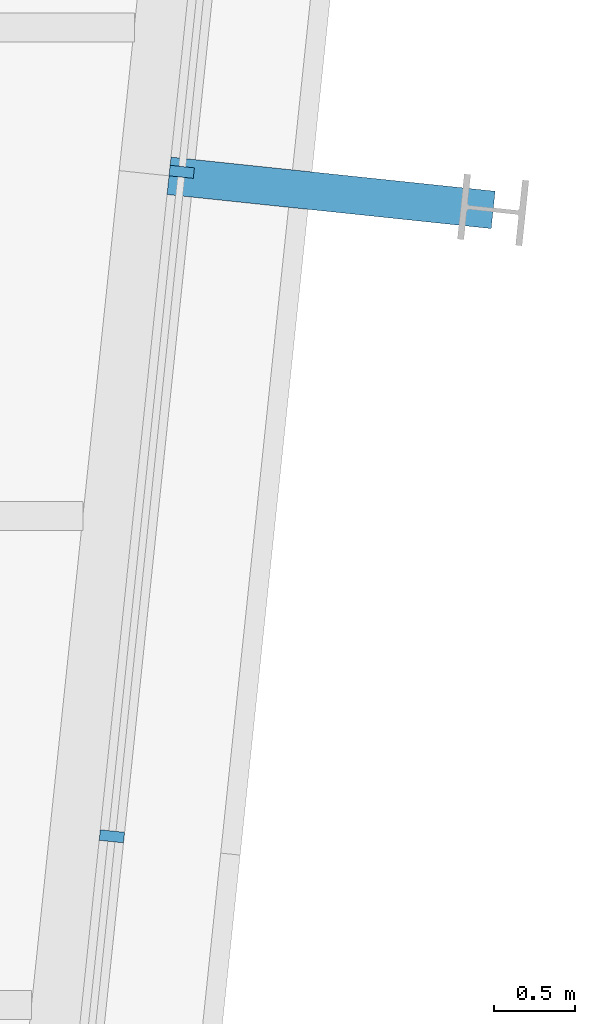
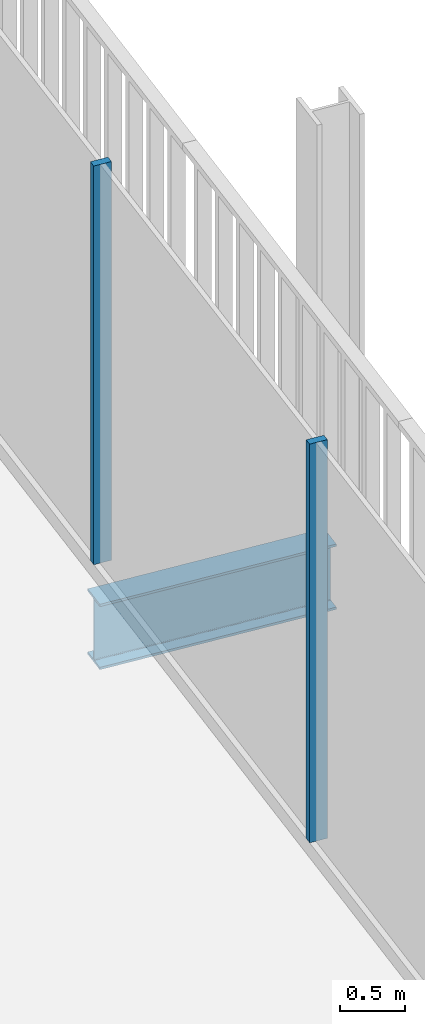
# One storey, part 11 of 19: 2 members, 1 beam, 1 element without a shape of its own.
"""IFC4 building model written with IfcOpenShell, lengths in metres."""

import ifcopenshell
import ifcopenshell.guid

model = None  # the IFC model being written
_history = None  # IfcOwnerHistory: only IFC2X3 demands one
_inside = {}  # id of a spatial element -> (the spatial element, [elements in it])
_under = {}  # id of a project, library or spatial element -> (it, [spatial elements below it])
_declared = {}  # id of a project -> (the project, [libraries it declares])
_typed = {}  # id of a type object -> (the type object, [elements of that type])
_made_of = {}  # id of a material, layer set ... -> (it, [elements and type objects made of it])


def new_model(schema):
    """Start an empty IFC model of exactly this schema.

    Asked for "IFC4X3", IfcOpenShell would pick the latest addendum, in which some entities
    have other attributes; the version numbers below select the first issue.
    IFC2X3 requires an IfcOwnerHistory on every rooted entity: one is made here for all.
    """
    global model, _history
    if schema == "IFC4X3":
        model = ifcopenshell.file(schema_version=(4, 3, 0, 0))
    else:
        model = ifcopenshell.file(schema=schema)
    _inside.clear()
    _under.clear()
    _declared.clear()
    _typed.clear()
    _made_of.clear()
    _history = None
    if model.schema == "IFC2X3":
        org = make("IfcOrganization", Name="unknown")
        user = make(
            "IfcPersonAndOrganization",
            ThePerson=make("IfcPerson", FamilyName="unknown"),
            TheOrganization=org,
        )
        app = make(
            "IfcApplication",
            ApplicationDeveloper=org,
            Version="unknown",
            ApplicationFullName="unknown",
            ApplicationIdentifier="unknown",
        )
        _history = make(
            "IfcOwnerHistory",
            OwningUser=user,
            OwningApplication=app,
            ChangeAction="ADDED",
            CreationDate=0,
        )
    return model


def make(cls, **values):
    """One entity of the class cls with the attributes given. An attribute that is None is left unset."""
    return model.create_entity(
        cls, **{name: value for name, value in values.items() if value is not None}
    )


def rooted(cls, **values):
    """An entity with a GlobalId (a new one), such as an element, a storey or a relation."""
    return make(cls, GlobalId=ifcopenshell.guid.new(), OwnerHistory=_history, **values)


def si_unit(unit_type, name, prefix=None):
    """IfcSIUnit, for example si_unit("LENGTHUNIT", "METRE", prefix="MILLI")."""
    return make("IfcSIUnit", UnitType=unit_type, Prefix=prefix, Name=name)


def assignment(units):
    """IfcUnitAssignment: the units of a project."""
    return None if units is None else make("IfcUnitAssignment", Units=units)


def point(xyz):
    """IfcCartesianPoint."""
    return None if xyz is None else make("IfcCartesianPoint", Coordinates=xyz)


def direction(xyz):
    """IfcDirection."""
    return None if xyz is None else make("IfcDirection", DirectionRatios=xyz)


def frame(location, z_axis=None, x_axis=None):
    """IfcAxis2Placement3D, a coordinate frame: its origin and axes. An axis left out is left unset."""
    return make(
        "IfcAxis2Placement3D",
        Location=point(location),
        Axis=direction(z_axis),
        RefDirection=direction(x_axis),
    )


def frame_2d(location, x_axis=None):
    """IfcAxis2Placement2D, a coordinate frame in the plane: its origin and x axis."""
    return make(
        "IfcAxis2Placement2D", Location=point(location), RefDirection=direction(x_axis)
    )


def origin():
    """The frame at (0, 0, 0) with its axes left unset."""
    return frame((0.0, 0.0, 0.0))


def origin_2d():
    """The frame at (0, 0) in the plane with its x axis left unset."""
    return frame_2d((0.0, 0.0))


def place(relative_to, where):
    """IfcLocalPlacement: puts the frame where relative to a parent placement (None: the world)."""
    return make(
        "IfcLocalPlacement", PlacementRelTo=relative_to, RelativePlacement=where
    )


def context(
    kind, dimensions, precision=None, world=None, true_north=None, identifier=None
):
    """IfcGeometricRepresentationContext, for example the 3D "Model" context."""
    return make(
        "IfcGeometricRepresentationContext",
        ContextIdentifier=identifier,
        ContextType=kind,
        CoordinateSpaceDimension=dimensions,
        Precision=precision,
        WorldCoordinateSystem=world,
        TrueNorth=true_north,
    )


def subcontext(parent, identifier, kind, view, scale=None):
    """IfcGeometricRepresentationSubContext, for example "Body" below "Model"."""
    return make(
        "IfcGeometricRepresentationSubContext",
        ContextIdentifier=identifier,
        ContextType=kind,
        ParentContext=parent,
        TargetScale=scale,
        TargetView=view,
    )


def project(units=None, contexts=None):
    """IfcProject with its units and contexts."""
    return rooted(
        "IfcProject",
        Name="project",
        RepresentationContexts=contexts,
        UnitsInContext=assignment(units),
    )


def spatial(cls, under=None, at=None, **own):
    """A site, building, storey or space (cls), placed at a placement, below another one or the project."""
    s = rooted(cls, ObjectPlacement=at, **own)
    if under is not None:
        _under.setdefault(under.id(), (under, []))[1].append(s)
    return s


def profile(cls, at=None, kind="AREA", **sizes):
    """A parametric profile (cls). Its sizes go by their IFC names, for example OverallWidth=200.0."""
    return make(cls, ProfileType=kind, Position=at, **sizes)


def rectangle(**sizes):
    """IfcRectangleProfileDef."""
    return profile("IfcRectangleProfileDef", **sizes)


def i_section(**sizes):
    """IfcIShapeProfileDef."""
    return profile("IfcIShapeProfileDef", **sizes)


def extrude(swept, where, along, depth):
    """IfcExtrudedAreaSolid: the profile swept, set in the frame where, extruded along a direction by depth."""
    return make(
        "IfcExtrudedAreaSolid",
        SweptArea=swept,
        Position=where,
        ExtrudedDirection=direction(along),
        Depth=depth,
    )


def shape(context_of_items, identifier, shape_type, items):
    """IfcShapeRepresentation: the items that make up one representation, for example the "Body"."""
    return make(
        "IfcShapeRepresentation",
        ContextOfItems=context_of_items,
        RepresentationIdentifier=identifier,
        RepresentationType=shape_type,
        Items=items,
    )


def material(Name=None, Category=None):
    """IfcMaterial."""
    return make("IfcMaterial", Name=Name, Category=Category)


def layer(
    of_material, thickness, ventilated=None, Name=None, Category=None, Priority=None
):
    """IfcMaterialLayer: one layer of a wall or slab, of a material (None: an air gap)."""
    return make(
        "IfcMaterialLayer",
        Material=of_material,
        LayerThickness=thickness,
        IsVentilated=ventilated,
        Name=Name,
        Category=Category,
        Priority=Priority,
    )


def layer_set(layers, Name=None):
    """IfcMaterialLayerSet."""
    return make("IfcMaterialLayerSet", MaterialLayers=layers, LayerSetName=Name)


def material_profile(
    of_material, cross_section, Name=None, Category=None, Priority=None
):
    """IfcMaterialProfile: a cross section and its material."""
    return make(
        "IfcMaterialProfile",
        Name=Name,
        Material=of_material,
        Profile=cross_section,
        Priority=Priority,
        Category=Category,
    )


def profile_set(profiles, Name=None, composite=None):
    """IfcMaterialProfileSet."""
    return make(
        "IfcMaterialProfileSet",
        Name=Name,
        MaterialProfiles=profiles,
        CompositeProfile=composite,
    )


def made_of(thing, what):
    """Note that an element or type object is made of a material, layer set ...; save() writes the relation."""
    if what is not None:
        _made_of.setdefault(what.id(), (what, []))[1].append(thing)
    return thing


def type_object(cls, material=None, **own):
    """A type object (cls), such as IfcWallType, which elements share."""
    return made_of(rooted(cls, **own), material)


def element(
    cls,
    number,
    at=None,
    inside=None,
    cuts=None,
    type_object=None,
    material=None,
    context=None,
    identifier="Body",
    shape_type=None,
    held_by="IfcProductDefinitionShape",
    body=None,
    shapes=None,
    **own,
):
    """One element of the class cls, such as IfcWall. Its Tag is "e" and its number.

    at: its placement. inside: the storey or other place that contains it. cuts: it is an
    opening in that element (IfcRelVoidsElement). A single representation is given by context,
    identifier, shape_type and body (its items); several are given by shapes. held_by: the class
    of the entity that holds the representations. save() writes the other relations.
    """
    e = rooted(cls, Tag="e%d" % number, ObjectPlacement=at, **own)
    if body is not None:
        shapes = [shape(context, identifier, shape_type, body)]
    if shapes is not None:
        e.Representation = make(held_by, Representations=shapes)
    if inside is not None:
        _inside.setdefault(inside.id(), (inside, []))[1].append(e)
    if cuts is not None:
        rooted(
            "IfcRelVoidsElement", RelatingBuildingElement=cuts, RelatedOpeningElement=e
        )
    if type_object is not None:
        _typed.setdefault(type_object.id(), (type_object, []))[1].append(e)
    return made_of(e, material)


def aggregate(whole, parts):
    """IfcRelAggregates: a whole, such as a stair, and the parts it consists of."""
    return rooted("IfcRelAggregates", RelatingObject=whole, RelatedObjects=parts)


def save(model, path):
    """Write the relations noted so far, then the file.

    IfcRelAggregates (storeys below a building ...), IfcRelContainedInSpatialStructure (elements
    in a storey), IfcRelDefinesByType, IfcRelAssociatesMaterial and IfcRelDeclares: one each for
    every whole, place, type object, material and project.
    """
    for whole, parts in _under.values():
        aggregate(whole, parts)
    for where, things in _inside.values():
        rooted(
            "IfcRelContainedInSpatialStructure",
            RelatedElements=things,
            RelatingStructure=where,
        )
    for kind, things in _typed.values():
        rooted("IfcRelDefinesByType", RelatedObjects=things, RelatingType=kind)
    for what, things in _made_of.values():
        rooted("IfcRelAssociatesMaterial", RelatedObjects=things, RelatingMaterial=what)
    for by, libraries in _declared.values():
        rooted("IfcRelDeclares", RelatingContext=by, RelatedDefinitions=libraries)
    model.write(path)


model = new_model("IFC4")

# Units and contexts
model_context = context("Model", 3, precision=1e-05, world=origin(), true_north=direction((0.0, 1.0)))
body_context = subcontext(model_context, "Body", "Model", "MODEL_VIEW")
ifc_project = project(units=[si_unit("LENGTHUNIT", "METRE"), si_unit("AREAUNIT", "SQUARE_METRE"), si_unit("VOLUMEUNIT", "CUBIC_METRE"), si_unit("PLANEANGLEUNIT", "RADIAN"), si_unit("MASSUNIT", "GRAM", prefix="KILO")], contexts=[model_context])

# Site, building, storey
site_placement = place(None, origin())
site = spatial("IfcSite", under=ifc_project, at=site_placement, CompositionType="ELEMENT")
building_placement = place(site_placement, origin())
building = spatial("IfcBuilding", under=site, at=building_placement, Name="Millrace Tower", CompositionType="ELEMENT")
storey_placement = place(building_placement, frame((0.0, 0.0, 338.199951171875)))
storey = spatial("IfcBuildingStorey", under=building, at=storey_placement, Name="L78", CompositionType="ELEMENT", Elevation=338.199951171875)

# Curtain wall, members
ifc_material_1 = material(Name="Aluminium and glass", Category="aluminium")
ifc_layer = layer(ifc_material_1, 0.14990234375)
ifc_layer_set = layer_set([ifc_layer], Name="Aluminium and glass")
curtain_wall_type = type_object("IfcCurtainWallType", Name="CW-1 office vision curtain wall", PredefinedType="NOTDEFINED", material=ifc_layer_set)
curtain_wall_placement = place(storey_placement, origin())
curtain_wall = element("IfcCurtainWall", 1, at=curtain_wall_placement, inside=storey, type_object=curtain_wall_type, Name="Curtain wall E-F04 L78", PredefinedType="NOTDEFINED")
ifc_material_2 = material(Name="Aluminium", Category="aluminium")
ifc_material_profile_1 = material_profile(ifc_material_2, rectangle(XDim=0.06494140625, YDim=0.14990234375, at=origin_2d()))
ifc_profile_set_1 = profile_set([ifc_material_profile_1], Name="Aluminium")
member_type = type_object("IfcMemberType", Name="CW-1 office vision curtain wall mullion", PredefinedType="MULLION", material=ifc_profile_set_1)
member_1_placement = place(storey_placement, frame((23.11767578125, 4.03515625, 0.14013671875), z_axis=(0.0, 0.0, 1.0), x_axis=(0.104528455196, 0.994521896217, 0.0)))
member_1 = element("IfcMember", 2, at=member_1_placement, type_object=member_type, Name="CW1 mullion E-F04.6", PredefinedType="MULLION", context=body_context, shape_type="SweptSolid", body=[
    extrude(rectangle(XDim=0.06494140625, YDim=0.14990234375, at=origin_2d()), origin(), (0.0, 0.0, 1.0), 3.760009765625),
])
member_2_placement = place(storey_placement, frame((23.546142578125, 8.11279296875, 0.14013671875), z_axis=(0.0, 0.0, 1.0), x_axis=(0.104528455196, 0.994521896217, 0.0)))
member_2 = element("IfcMember", 3, at=member_2_placement, type_object=member_type, Name="CW1 mullion E-F04.7", PredefinedType="MULLION", context=body_context, shape_type="SweptSolid", body=[
    extrude(rectangle(XDim=0.06494140625, YDim=0.14990234375, at=origin_2d()), origin(), (0.0, 0.0, 1.0), 3.760009765625),
])
aggregate(curtain_wall, [member_1, member_2])

# Beam
ifc_material_3 = material(Name="Steel ASTM A992 Grade 50", Category="steel")
ifc_material_profile_2 = material_profile(ifc_material_3, i_section(OverallWidth=0.23046875, OverallDepth=0.6171875, WebThickness=0.01318359375, FlangeThickness=0.022216796875, FilletRadius=0.012939453125, at=origin_2d()))
ifc_profile_set_2 = profile_set([ifc_material_profile_2], Name="Steel ASTM A992 Grade 50")
beam_type = type_object("IfcBeamType", Name="Link beam W24x94", PredefinedType="BEAM", material=ifc_profile_set_2)
beam_placement = place(storey_placement, frame((23.46826171875, 8.08837890625, -0.468505859375), z_axis=(0.994512808172, -0.104614886044, 0.0), x_axis=(0.104614886044, 0.994512808172, 0.0)))
element("IfcBeam", 4, at=beam_placement, inside=storey, type_object=beam_type, Name="LNK-E-L78-S1-10", PredefinedType="BEAM", context=body_context, shape_type="SweptSolid", body=[
    extrude(i_section(OverallWidth=0.23046875, OverallDepth=0.6171875, WebThickness=0.01318359375, FlangeThickness=0.022216796875, FilletRadius=0.012939453125, at=origin_2d()), origin(), (0.0, 0.0, 1.0), 2.0),
])

save(model, "model.ifc")
